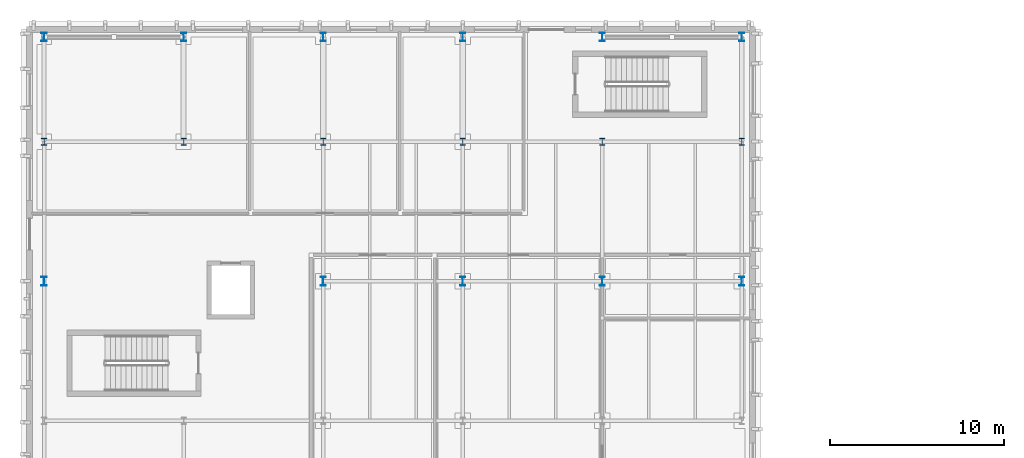
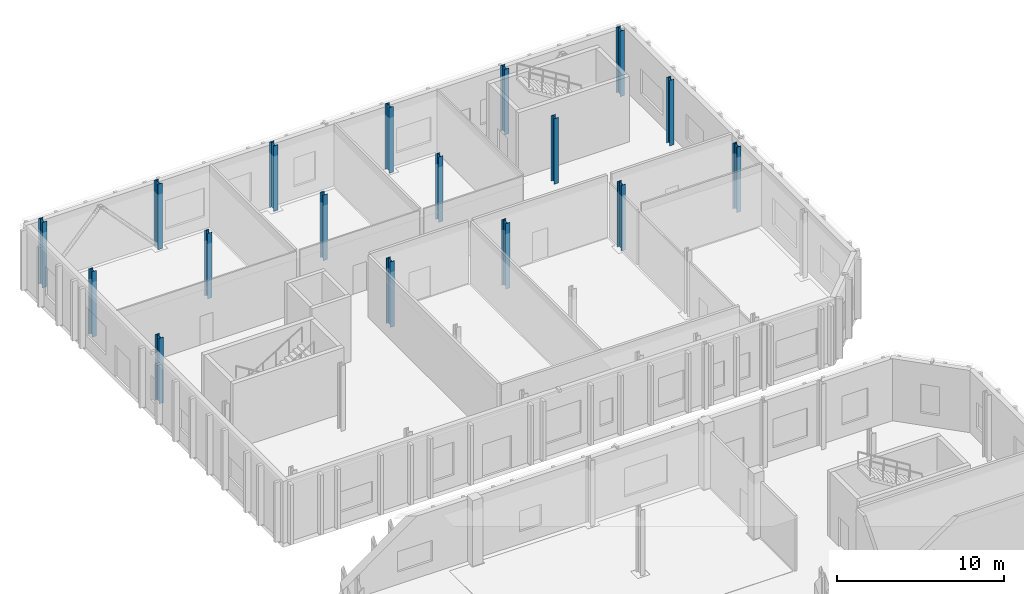
# One storey, part 10 of 60: 17 columns.
"""IFC4 building model written with IfcOpenShell, lengths in metres."""

from ifc_helpers import new_model, si_unit, direction, frame, origin, origin_2d, place, context, subcontext, project, spatial, i_section, extrude, material, material_profile, profile_set, type_object, element, save


model = new_model("IFC4")

# Units and contexts
model_context = context("Model", 3, precision=1e-05, world=origin(), true_north=direction((0.0, 1.0)))
body_context = subcontext(model_context, "Body", "Model", "MODEL_VIEW")
ifc_project = project(units=[si_unit("LENGTHUNIT", "METRE"), si_unit("AREAUNIT", "SQUARE_METRE"), si_unit("VOLUMEUNIT", "CUBIC_METRE"), si_unit("PLANEANGLEUNIT", "RADIAN"), si_unit("MASSUNIT", "GRAM", prefix="KILO")], contexts=[model_context])

# Site, building, storey
site_placement = place(None, origin())
site = spatial("IfcSite", under=ifc_project, at=site_placement, CompositionType="ELEMENT")
building_placement = place(site_placement, origin())
building = spatial("IfcBuilding", under=site, at=building_placement, Name="Cymarion Research Institute", CompositionType="ELEMENT")
storey_placement = place(building_placement, origin())
storey = spatial("IfcBuildingStorey", under=building, at=storey_placement, Name="L00", CompositionType="ELEMENT", Elevation=0.0)

# Columns
ifc_material = material(Name="Steel S355", Category="steel")
ifc_material_profile_1 = material_profile(ifc_material, i_section(OverallWidth=0.300048828125, OverallDepth=0.5, WebThickness=0.014404296875, FlangeThickness=0.028076171875, FilletRadius=0.027099609375, at=origin_2d()), Name="HEB 500")
ifc_profile_set_1 = profile_set([ifc_material_profile_1], Name="Steel S355")
column_type_1 = type_object("IfcColumnType", Name="STRUCTURAL COLUMN C04 HEB 500", PredefinedType="COLUMN", material=ifc_profile_set_1)
for number, where, z_axis, x_axis, name in (
    (1, (6.60009765625, 101.5, 0.0), (0.0, 0.0, 1.0), (1.0, 0.0, 0.0), "L00 V5 column C04 #244"),
    (2, (6.60009765625, 115.5, 0.0), (0.0, 0.0, 1.0), (1.0, 0.0, 0.0), "L00 V5 column C04 #246"),
    (3, (14.60009765625, 115.5, 0.0), (0.0, 0.0, 1.0), (1.0, 0.0, 0.0), "L00 V5 column C04 #261"),
    (4, (22.60009765625, 101.5, 0.0), (0.0, 0.0, 1.0), (1.0, 0.0, 0.0), "L00 V5 column C04 #275"),
    (5, (22.60009765625, 115.5, 0.0), (0.0, 0.0, 1.0), (1.0, 0.0, 0.0), "L00 V5 column C04 #277"),
    (6, (30.60009765625, 101.5, 0.0), (0.0, 0.0, 1.0), (1.0, 0.0, 0.0), "L00 V5 column C04 #291"),
    (7, (30.60009765625, 115.5, 0.0), (0.0, 0.0, 1.0), (1.0, 0.0, 0.0), "L00 V5 column C04 #293"),
    (8, (38.60009765625, 101.5, 0.0), (0.0, 0.0, 1.0), (1.0, 0.0, 0.0), "L00 V5 column C04 #313"),
    (9, (38.60009765625, 115.5, 0.0), (0.0, 0.0, 1.0), (1.0, 0.0, 0.0), "L00 V5 column C04 #315"),
    (10, (46.60009765625, 101.5, 0.0), (0.0, 0.0, 1.0), (1.0, 0.0, 0.0), "L00 V5 column C04 #330"),
    (11, (46.60009765625, 115.5, 0.0), (0.0, 0.0, 1.0), (1.0, 0.0, 0.0), "L00 V5 column C04 #332"),
):
    element("IfcColumn", number, at=place(storey_placement, frame(where, z_axis=z_axis, x_axis=x_axis)), inside=storey, type_object=column_type_1, Name=name, PredefinedType="COLUMN", context=body_context, shape_type="SweptSolid", body=[
        extrude(i_section(OverallWidth=0.300048828125, OverallDepth=0.5, WebThickness=0.014404296875, FlangeThickness=0.028076171875, FilletRadius=0.027099609375, at=origin_2d()), origin(), (0.0, 0.0, 1.0), 4.800048828125),
    ])
ifc_material_profile_2 = material_profile(ifc_material, i_section(OverallWidth=0.300048828125, OverallDepth=0.389892578125, WebThickness=0.010986328125, FlangeThickness=0.01904296875, FilletRadius=0.027099609375, at=origin_2d()), Name="HEA 400")
ifc_profile_set_2 = profile_set([ifc_material_profile_2], Name="Steel S355")
column_type_2 = type_object("IfcColumnType", Name="STRUCTURAL COLUMN C11 HEA 400", PredefinedType="COLUMN", material=ifc_profile_set_2)
for number, where, z_axis, x_axis, name in (
    (12, (6.60009765625, 109.5, 0.0), (0.0, 0.0, 1.0), (1.0, 0.0, 0.0), "L00 V5 column C11 #245"),
    (13, (14.60009765625, 109.5, 0.0), (0.0, 0.0, 1.0), (1.0, 0.0, 0.0), "L00 V5 column C11 #260"),
    (14, (22.60009765625, 109.5, 0.0), (0.0, 0.0, 1.0), (1.0, 0.0, 0.0), "L00 V5 column C11 #276"),
    (15, (30.60009765625, 109.5, 0.0), (0.0, 0.0, 1.0), (1.0, 0.0, 0.0), "L00 V5 column C11 #292"),
    (16, (38.60009765625, 109.5, 0.0), (0.0, 0.0, 1.0), (1.0, 0.0, 0.0), "L00 V5 column C11 #314"),
    (17, (46.60009765625, 109.5, 0.0), (0.0, 0.0, 1.0), (1.0, 0.0, 0.0), "L00 V5 column C11 #331"),
):
    element("IfcColumn", number, at=place(storey_placement, frame(where, z_axis=z_axis, x_axis=x_axis)), inside=storey, type_object=column_type_2, Name=name, PredefinedType="COLUMN", context=body_context, shape_type="SweptSolid", body=[
        extrude(i_section(OverallWidth=0.300048828125, OverallDepth=0.389892578125, WebThickness=0.010986328125, FlangeThickness=0.01904296875, FilletRadius=0.027099609375, at=origin_2d()), origin(), (0.0, 0.0, 1.0), 4.800048828125),
    ])

save(model, "model.ifc")
